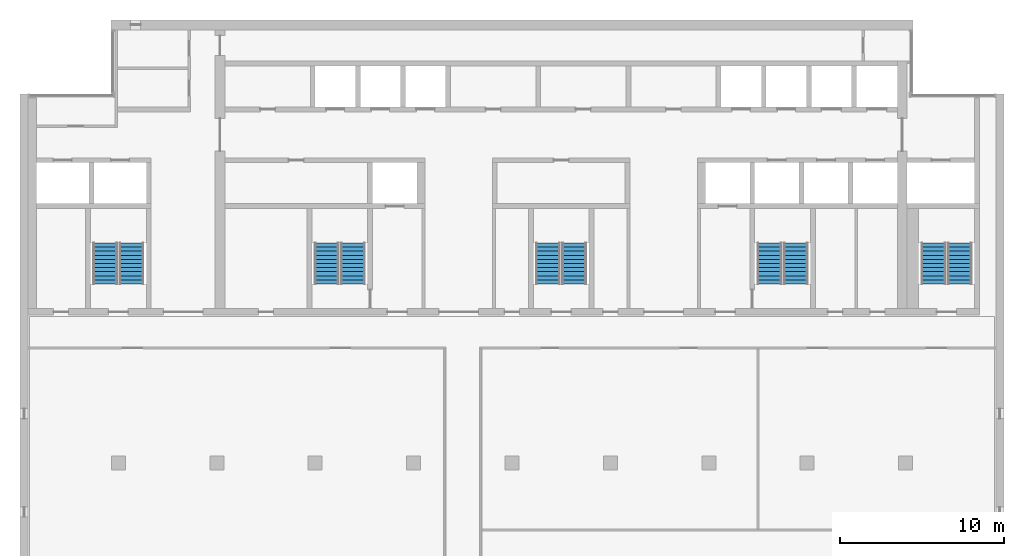
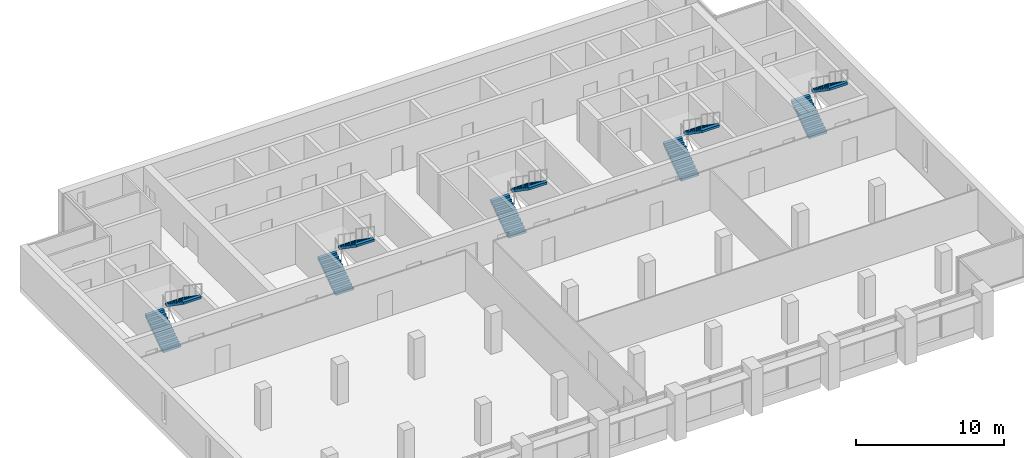
# One storey, part 12 of 14: 10 stair flights, 5 elements without a shape of their own.
"""IFC4 building model written with IfcOpenShell, lengths in metres."""

from ifc_helpers import new_model, si_unit, direction, frame, origin, place, context, subcontext, project, spatial, polyline, outline, extrude, material, type_object, element, aggregate, save


model = new_model("IFC4")

# Units and contexts
model_context = context("Model", 3, precision=1e-05, world=origin(), true_north=direction((0.0, 1.0)))
body_context = subcontext(model_context, "Body", "Model", "MODEL_VIEW")
ifc_project = project(units=[si_unit("LENGTHUNIT", "METRE"), si_unit("AREAUNIT", "SQUARE_METRE"), si_unit("VOLUMEUNIT", "CUBIC_METRE"), si_unit("PLANEANGLEUNIT", "RADIAN"), si_unit("MASSUNIT", "GRAM", prefix="KILO")], contexts=[model_context])

# Site, building, storey
site_placement = place(None, origin())
site = spatial("IfcSite", under=ifc_project, at=site_placement, CompositionType="ELEMENT")
building_placement = place(site_placement, origin())
building = spatial("IfcBuilding", under=site, at=building_placement, Name="Calvaro Tower", CompositionType="ELEMENT")
storey_placement = place(building_placement, frame((0.0, 0.0, 246.949951171875)))
storey = spatial("IfcBuildingStorey", under=building, at=storey_placement, Name="L62", CompositionType="ELEMENT", Elevation=246.949951171875)

# Stair, stair flights
ifc_material_1 = material(Name="Concrete C40/50", Category="concrete")
stair_type = type_object("IfcStairType", Name="Exit stair 1400 2 flights", PredefinedType="HALF_TURN_STAIR", material=ifc_material_1)
stair_1_placement = place(storey_placement, origin())
stair_1 = element("IfcStair", 1, at=stair_1_placement, inside=storey, type_object=stair_type, Name="Exit stair S1", PredefinedType="HALF_TURN_STAIR")
ifc_material_2 = material(Name="Concrete C40/50", Category="concrete")
stair_flight_type = type_object("IfcStairFlightType", Name="Stair flight", PredefinedType="STRAIGHT", material=ifc_material_2)
stair_flight_1_placement = place(storey_placement, frame((11.199951171875, 29.89990234375, 0.0), z_axis=(0.0, 0.0, 1.0), x_axis=(0.0, 1.0, 0.0)))
stair_flight_1 = element("IfcStairFlight", 2, at=stair_flight_1_placement, type_object=stair_flight_type, Name="Exit stair 1, flight 1", NumberOfRisers=11, NumberOfTreads=10, PredefinedType="STRAIGHT", RiserHeight=0.172727273, TreadLength=0.25, context=body_context, shape_type="SweptSolid", body=[
    extrude(outline(polyline([(0.0, 0.0), (0.0, 0.172607421875), (0.25, 0.172607421875), (0.25, 0.345458984375), (0.5, 0.345458984375), (0.5, 0.51806640625), (0.75, 0.51806640625), (0.75, 0.69091796875), (1.0, 0.69091796875), (1.0, 0.863525390625), (1.25, 0.863525390625), (1.25, 1.036376953125), (1.5, 1.036376953125), (1.5, 1.208984375), (1.75, 1.208984375), (1.75, 1.3818359375), (2.0, 1.3818359375), (2.0, 1.554443359375), (2.25, 1.554443359375), (2.25, 1.727294921875), (2.5, 1.727294921875), (2.5, 1.89990234375), (2.5, 1.545166015625), (0.263671875, 0.0), (0.0, 0.0)])), frame((0.0, 0.699951171875, 0.0), z_axis=(0.0, -1.0, 0.0), x_axis=(1.0, 0.0, 0.0)), (0.0, 0.0, 1.0), 1.39990234375),
])
stair_flight_2_placement = place(storey_placement, frame((12.800048828125, 32.39990234375, 1.900146484375), z_axis=(0.0, 0.0, 1.0), x_axis=(0.0, -1.0, 0.0)))
stair_flight_2 = element("IfcStairFlight", 3, at=stair_flight_2_placement, type_object=stair_flight_type, Name="Exit stair 1, flight 2", NumberOfRisers=11, NumberOfTreads=10, PredefinedType="STRAIGHT", RiserHeight=0.172727273, TreadLength=0.25, context=body_context, shape_type="SweptSolid", body=[
    extrude(outline(polyline([(0.0, 0.0), (0.0, 0.172607421875), (0.25, 0.172607421875), (0.25, 0.345458984375), (0.5, 0.345458984375), (0.5, 0.51806640625), (0.75, 0.51806640625), (0.75, 0.69091796875), (1.0, 0.69091796875), (1.0, 0.863525390625), (1.25, 0.863525390625), (1.25, 1.036376953125), (1.5, 1.036376953125), (1.5, 1.208984375), (1.75, 1.208984375), (1.75, 1.3818359375), (2.0, 1.3818359375), (2.0, 1.554443359375), (2.25, 1.554443359375), (2.25, 1.727294921875), (2.5, 1.727294921875), (2.5, 1.89990234375), (2.5, 1.545166015625), (0.263671875, 0.0), (0.0, 0.0)])), frame((0.0, 0.699951171875, 0.0), z_axis=(0.0, -1.0, 0.0), x_axis=(1.0, 0.0, 0.0)), (0.0, 0.0, 1.0), 1.39990234375),
])
aggregate(stair_1, [stair_flight_1, stair_flight_2])

stair_2_placement = place(storey_placement, origin())
stair_2 = element("IfcStair", 4, at=stair_2_placement, inside=storey, type_object=stair_type, Name="Exit stair S2", PredefinedType="HALF_TURN_STAIR")
stair_flight_3_placement = place(storey_placement, frame((24.699951171875, 29.89990234375, 0.0), z_axis=(0.0, 0.0, 1.0), x_axis=(0.0, 1.0, 0.0)))
stair_flight_3 = element("IfcStairFlight", 5, at=stair_flight_3_placement, type_object=stair_flight_type, Name="Exit stair 2, flight 1", NumberOfRisers=11, NumberOfTreads=10, PredefinedType="STRAIGHT", RiserHeight=0.172727273, TreadLength=0.25, context=body_context, shape_type="SweptSolid", body=[
    extrude(outline(polyline([(0.0, 0.0), (0.0, 0.172607421875), (0.25, 0.172607421875), (0.25, 0.345458984375), (0.5, 0.345458984375), (0.5, 0.51806640625), (0.75, 0.51806640625), (0.75, 0.69091796875), (1.0, 0.69091796875), (1.0, 0.863525390625), (1.25, 0.863525390625), (1.25, 1.036376953125), (1.5, 1.036376953125), (1.5, 1.208984375), (1.75, 1.208984375), (1.75, 1.3818359375), (2.0, 1.3818359375), (2.0, 1.554443359375), (2.25, 1.554443359375), (2.25, 1.727294921875), (2.5, 1.727294921875), (2.5, 1.89990234375), (2.5, 1.545166015625), (0.263671875, 0.0), (0.0, 0.0)])), frame((0.0, 0.699951171875, 0.0), z_axis=(0.0, -1.0, 0.0), x_axis=(1.0, 0.0, 0.0)), (0.0, 0.0, 1.0), 1.39990234375),
])
stair_flight_4_placement = place(storey_placement, frame((26.300048828125, 32.39990234375, 1.900146484375), z_axis=(0.0, 0.0, 1.0), x_axis=(0.0, -1.0, 0.0)))
stair_flight_4 = element("IfcStairFlight", 6, at=stair_flight_4_placement, type_object=stair_flight_type, Name="Exit stair 2, flight 2", NumberOfRisers=11, NumberOfTreads=10, PredefinedType="STRAIGHT", RiserHeight=0.172727273, TreadLength=0.25, context=body_context, shape_type="SweptSolid", body=[
    extrude(outline(polyline([(0.0, 0.0), (0.0, 0.172607421875), (0.25, 0.172607421875), (0.25, 0.345458984375), (0.5, 0.345458984375), (0.5, 0.51806640625), (0.75, 0.51806640625), (0.75, 0.69091796875), (1.0, 0.69091796875), (1.0, 0.863525390625), (1.25, 0.863525390625), (1.25, 1.036376953125), (1.5, 1.036376953125), (1.5, 1.208984375), (1.75, 1.208984375), (1.75, 1.3818359375), (2.0, 1.3818359375), (2.0, 1.554443359375), (2.25, 1.554443359375), (2.25, 1.727294921875), (2.5, 1.727294921875), (2.5, 1.89990234375), (2.5, 1.545166015625), (0.263671875, 0.0), (0.0, 0.0)])), frame((0.0, 0.699951171875, 0.0), z_axis=(0.0, -1.0, 0.0), x_axis=(1.0, 0.0, 0.0)), (0.0, 0.0, 1.0), 1.39990234375),
])
aggregate(stair_2, [stair_flight_3, stair_flight_4])

stair_3_placement = place(storey_placement, origin())
stair_3 = element("IfcStair", 7, at=stair_3_placement, inside=storey, type_object=stair_type, Name="Exit stair S3", PredefinedType="HALF_TURN_STAIR")
stair_flight_5_placement = place(storey_placement, frame((38.199951171875, 29.89990234375, 0.0), z_axis=(0.0, 0.0, 1.0), x_axis=(0.0, 1.0, 0.0)))
stair_flight_5 = element("IfcStairFlight", 8, at=stair_flight_5_placement, type_object=stair_flight_type, Name="Exit stair 3, flight 1", NumberOfRisers=11, NumberOfTreads=10, PredefinedType="STRAIGHT", RiserHeight=0.172727273, TreadLength=0.25, context=body_context, shape_type="SweptSolid", body=[
    extrude(outline(polyline([(0.0, 0.0), (0.0, 0.172607421875), (0.25, 0.172607421875), (0.25, 0.345458984375), (0.5, 0.345458984375), (0.5, 0.51806640625), (0.75, 0.51806640625), (0.75, 0.69091796875), (1.0, 0.69091796875), (1.0, 0.863525390625), (1.25, 0.863525390625), (1.25, 1.036376953125), (1.5, 1.036376953125), (1.5, 1.208984375), (1.75, 1.208984375), (1.75, 1.3818359375), (2.0, 1.3818359375), (2.0, 1.554443359375), (2.25, 1.554443359375), (2.25, 1.727294921875), (2.5, 1.727294921875), (2.5, 1.89990234375), (2.5, 1.545166015625), (0.263671875, 0.0), (0.0, 0.0)])), frame((0.0, 0.699951171875, 0.0), z_axis=(0.0, -1.0, 0.0), x_axis=(1.0, 0.0, 0.0)), (0.0, 0.0, 1.0), 1.39990234375),
])
stair_flight_6_placement = place(storey_placement, frame((39.800048828125, 32.39990234375, 1.900146484375), z_axis=(0.0, 0.0, 1.0), x_axis=(0.0, -1.0, 0.0)))
stair_flight_6 = element("IfcStairFlight", 9, at=stair_flight_6_placement, type_object=stair_flight_type, Name="Exit stair 3, flight 2", NumberOfRisers=11, NumberOfTreads=10, PredefinedType="STRAIGHT", RiserHeight=0.172727273, TreadLength=0.25, context=body_context, shape_type="SweptSolid", body=[
    extrude(outline(polyline([(0.0, 0.0), (0.0, 0.172607421875), (0.25, 0.172607421875), (0.25, 0.345458984375), (0.5, 0.345458984375), (0.5, 0.51806640625), (0.75, 0.51806640625), (0.75, 0.69091796875), (1.0, 0.69091796875), (1.0, 0.863525390625), (1.25, 0.863525390625), (1.25, 1.036376953125), (1.5, 1.036376953125), (1.5, 1.208984375), (1.75, 1.208984375), (1.75, 1.3818359375), (2.0, 1.3818359375), (2.0, 1.554443359375), (2.25, 1.554443359375), (2.25, 1.727294921875), (2.5, 1.727294921875), (2.5, 1.89990234375), (2.5, 1.545166015625), (0.263671875, 0.0), (0.0, 0.0)])), frame((0.0, 0.699951171875, 0.0), z_axis=(0.0, -1.0, 0.0), x_axis=(1.0, 0.0, 0.0)), (0.0, 0.0, 1.0), 1.39990234375),
])
aggregate(stair_3, [stair_flight_5, stair_flight_6])

stair_4_placement = place(storey_placement, origin())
stair_4 = element("IfcStair", 10, at=stair_4_placement, inside=storey, type_object=stair_type, Name="Exit stair S4", PredefinedType="HALF_TURN_STAIR")
stair_flight_7_placement = place(storey_placement, frame((51.699951171875, 29.89990234375, 0.0), z_axis=(0.0, 0.0, 1.0), x_axis=(0.0, 1.0, 0.0)))
stair_flight_7 = element("IfcStairFlight", 11, at=stair_flight_7_placement, type_object=stair_flight_type, Name="Exit stair 4, flight 1", NumberOfRisers=11, NumberOfTreads=10, PredefinedType="STRAIGHT", RiserHeight=0.172727273, TreadLength=0.25, context=body_context, shape_type="SweptSolid", body=[
    extrude(outline(polyline([(0.0, 0.0), (0.0, 0.172607421875), (0.25, 0.172607421875), (0.25, 0.345458984375), (0.5, 0.345458984375), (0.5, 0.51806640625), (0.75, 0.51806640625), (0.75, 0.69091796875), (1.0, 0.69091796875), (1.0, 0.863525390625), (1.25, 0.863525390625), (1.25, 1.036376953125), (1.5, 1.036376953125), (1.5, 1.208984375), (1.75, 1.208984375), (1.75, 1.3818359375), (2.0, 1.3818359375), (2.0, 1.554443359375), (2.25, 1.554443359375), (2.25, 1.727294921875), (2.5, 1.727294921875), (2.5, 1.89990234375), (2.5, 1.545166015625), (0.263671875, 0.0), (0.0, 0.0)])), frame((0.0, 0.699951171875, 0.0), z_axis=(0.0, -1.0, 0.0), x_axis=(1.0, 0.0, 0.0)), (0.0, 0.0, 1.0), 1.39990234375),
])
stair_flight_8_placement = place(storey_placement, frame((53.300048828125, 32.39990234375, 1.900146484375), z_axis=(0.0, 0.0, 1.0), x_axis=(0.0, -1.0, 0.0)))
stair_flight_8 = element("IfcStairFlight", 12, at=stair_flight_8_placement, type_object=stair_flight_type, Name="Exit stair 4, flight 2", NumberOfRisers=11, NumberOfTreads=10, PredefinedType="STRAIGHT", RiserHeight=0.172727273, TreadLength=0.25, context=body_context, shape_type="SweptSolid", body=[
    extrude(outline(polyline([(0.0, 0.0), (0.0, 0.172607421875), (0.25, 0.172607421875), (0.25, 0.345458984375), (0.5, 0.345458984375), (0.5, 0.51806640625), (0.75, 0.51806640625), (0.75, 0.69091796875), (1.0, 0.69091796875), (1.0, 0.863525390625), (1.25, 0.863525390625), (1.25, 1.036376953125), (1.5, 1.036376953125), (1.5, 1.208984375), (1.75, 1.208984375), (1.75, 1.3818359375), (2.0, 1.3818359375), (2.0, 1.554443359375), (2.25, 1.554443359375), (2.25, 1.727294921875), (2.5, 1.727294921875), (2.5, 1.89990234375), (2.5, 1.545166015625), (0.263671875, 0.0), (0.0, 0.0)])), frame((0.0, 0.699951171875, 0.0), z_axis=(0.0, -1.0, 0.0), x_axis=(1.0, 0.0, 0.0)), (0.0, 0.0, 1.0), 1.39990234375),
])
aggregate(stair_4, [stair_flight_7, stair_flight_8])

stair_5_placement = place(storey_placement, origin())
stair_5 = element("IfcStair", 13, at=stair_5_placement, inside=storey, type_object=stair_type, Name="Exit stair S5", PredefinedType="HALF_TURN_STAIR")
stair_flight_9_placement = place(storey_placement, frame((61.699951171875, 29.89990234375, 0.0), z_axis=(0.0, 0.0, 1.0), x_axis=(0.0, 1.0, 0.0)))
stair_flight_9 = element("IfcStairFlight", 14, at=stair_flight_9_placement, type_object=stair_flight_type, Name="Exit stair 5, flight 1", NumberOfRisers=11, NumberOfTreads=10, PredefinedType="STRAIGHT", RiserHeight=0.172727273, TreadLength=0.25, context=body_context, shape_type="SweptSolid", body=[
    extrude(outline(polyline([(0.0, 0.0), (0.0, 0.172607421875), (0.25, 0.172607421875), (0.25, 0.345458984375), (0.5, 0.345458984375), (0.5, 0.51806640625), (0.75, 0.51806640625), (0.75, 0.69091796875), (1.0, 0.69091796875), (1.0, 0.863525390625), (1.25, 0.863525390625), (1.25, 1.036376953125), (1.5, 1.036376953125), (1.5, 1.208984375), (1.75, 1.208984375), (1.75, 1.3818359375), (2.0, 1.3818359375), (2.0, 1.554443359375), (2.25, 1.554443359375), (2.25, 1.727294921875), (2.5, 1.727294921875), (2.5, 1.89990234375), (2.5, 1.545166015625), (0.263671875, 0.0), (0.0, 0.0)])), frame((0.0, 0.699951171875, 0.0), z_axis=(0.0, -1.0, 0.0), x_axis=(1.0, 0.0, 0.0)), (0.0, 0.0, 1.0), 1.39990234375),
])
stair_flight_10_placement = place(storey_placement, frame((63.300048828125, 32.39990234375, 1.900146484375), z_axis=(0.0, 0.0, 1.0), x_axis=(0.0, -1.0, 0.0)))
stair_flight_10 = element("IfcStairFlight", 15, at=stair_flight_10_placement, type_object=stair_flight_type, Name="Exit stair 5, flight 2", NumberOfRisers=11, NumberOfTreads=10, PredefinedType="STRAIGHT", RiserHeight=0.172727273, TreadLength=0.25, context=body_context, shape_type="SweptSolid", body=[
    extrude(outline(polyline([(0.0, 0.0), (0.0, 0.172607421875), (0.25, 0.172607421875), (0.25, 0.345458984375), (0.5, 0.345458984375), (0.5, 0.51806640625), (0.75, 0.51806640625), (0.75, 0.69091796875), (1.0, 0.69091796875), (1.0, 0.863525390625), (1.25, 0.863525390625), (1.25, 1.036376953125), (1.5, 1.036376953125), (1.5, 1.208984375), (1.75, 1.208984375), (1.75, 1.3818359375), (2.0, 1.3818359375), (2.0, 1.554443359375), (2.25, 1.554443359375), (2.25, 1.727294921875), (2.5, 1.727294921875), (2.5, 1.89990234375), (2.5, 1.545166015625), (0.263671875, 0.0), (0.0, 0.0)])), frame((0.0, 0.699951171875, 0.0), z_axis=(0.0, -1.0, 0.0), x_axis=(1.0, 0.0, 0.0)), (0.0, 0.0, 1.0), 1.39990234375),
])
aggregate(stair_5, [stair_flight_9, stair_flight_10])

save(model, "model.ifc")
